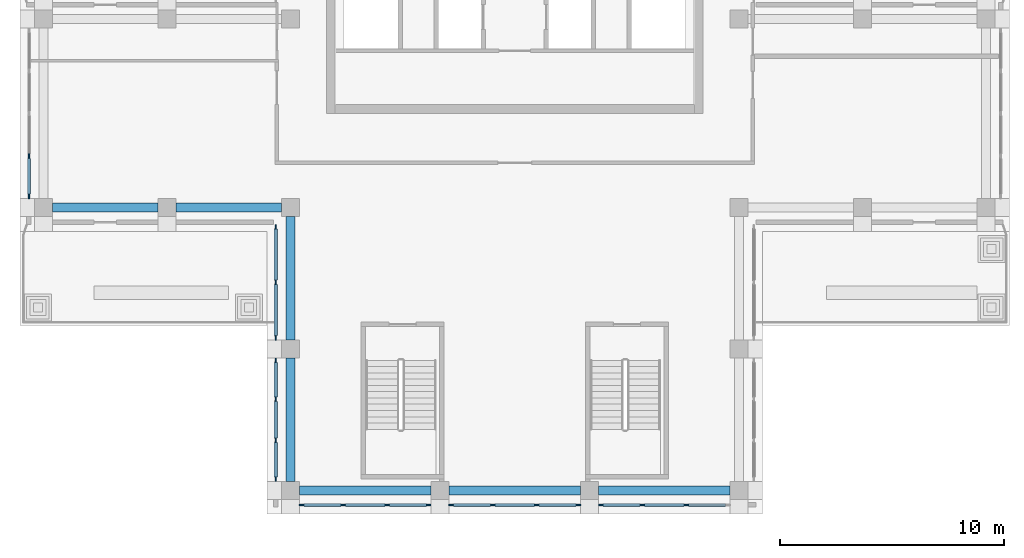
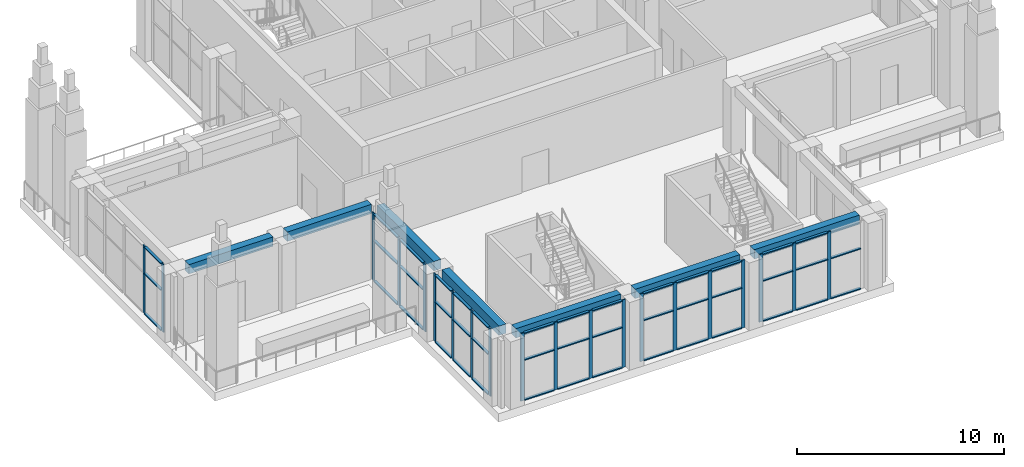
# One storey, part 2 of 14: 64 members, 7 beams, 6 elements without a shape of their own.
"""IFC4 building model written with IfcOpenShell, lengths in metres."""

import ifcopenshell
import ifcopenshell.guid

model = None  # the IFC model being written
_history = None  # IfcOwnerHistory: only IFC2X3 demands one
_inside = {}  # id of a spatial element -> (the spatial element, [elements in it])
_under = {}  # id of a project, library or spatial element -> (it, [spatial elements below it])
_declared = {}  # id of a project -> (the project, [libraries it declares])
_typed = {}  # id of a type object -> (the type object, [elements of that type])
_made_of = {}  # id of a material, layer set ... -> (it, [elements and type objects made of it])


def new_model(schema):
    """Start an empty IFC model of exactly this schema.

    Asked for "IFC4X3", IfcOpenShell would pick the latest addendum, in which some entities
    have other attributes; the version numbers below select the first issue.
    IFC2X3 requires an IfcOwnerHistory on every rooted entity: one is made here for all.
    """
    global model, _history
    if schema == "IFC4X3":
        model = ifcopenshell.file(schema_version=(4, 3, 0, 0))
    else:
        model = ifcopenshell.file(schema=schema)
    _inside.clear()
    _under.clear()
    _declared.clear()
    _typed.clear()
    _made_of.clear()
    _history = None
    if model.schema == "IFC2X3":
        org = make("IfcOrganization", Name="unknown")
        user = make(
            "IfcPersonAndOrganization",
            ThePerson=make("IfcPerson", FamilyName="unknown"),
            TheOrganization=org,
        )
        app = make(
            "IfcApplication",
            ApplicationDeveloper=org,
            Version="unknown",
            ApplicationFullName="unknown",
            ApplicationIdentifier="unknown",
        )
        _history = make(
            "IfcOwnerHistory",
            OwningUser=user,
            OwningApplication=app,
            ChangeAction="ADDED",
            CreationDate=0,
        )
    return model


def make(cls, **values):
    """One entity of the class cls with the attributes given. An attribute that is None is left unset."""
    return model.create_entity(
        cls, **{name: value for name, value in values.items() if value is not None}
    )


def rooted(cls, **values):
    """An entity with a GlobalId (a new one), such as an element, a storey or a relation."""
    return make(cls, GlobalId=ifcopenshell.guid.new(), OwnerHistory=_history, **values)


def si_unit(unit_type, name, prefix=None):
    """IfcSIUnit, for example si_unit("LENGTHUNIT", "METRE", prefix="MILLI")."""
    return make("IfcSIUnit", UnitType=unit_type, Prefix=prefix, Name=name)


def assignment(units):
    """IfcUnitAssignment: the units of a project."""
    return None if units is None else make("IfcUnitAssignment", Units=units)


def point(xyz):
    """IfcCartesianPoint."""
    return None if xyz is None else make("IfcCartesianPoint", Coordinates=xyz)


def direction(xyz):
    """IfcDirection."""
    return None if xyz is None else make("IfcDirection", DirectionRatios=xyz)


def frame(location, z_axis=None, x_axis=None):
    """IfcAxis2Placement3D, a coordinate frame: its origin and axes. An axis left out is left unset."""
    return make(
        "IfcAxis2Placement3D",
        Location=point(location),
        Axis=direction(z_axis),
        RefDirection=direction(x_axis),
    )


def frame_2d(location, x_axis=None):
    """IfcAxis2Placement2D, a coordinate frame in the plane: its origin and x axis."""
    return make(
        "IfcAxis2Placement2D", Location=point(location), RefDirection=direction(x_axis)
    )


def origin():
    """The frame at (0, 0, 0) with its axes left unset."""
    return frame((0.0, 0.0, 0.0))


def origin_2d():
    """The frame at (0, 0) in the plane with its x axis left unset."""
    return frame_2d((0.0, 0.0))


def place(relative_to, where):
    """IfcLocalPlacement: puts the frame where relative to a parent placement (None: the world)."""
    return make(
        "IfcLocalPlacement", PlacementRelTo=relative_to, RelativePlacement=where
    )


def context(
    kind, dimensions, precision=None, world=None, true_north=None, identifier=None
):
    """IfcGeometricRepresentationContext, for example the 3D "Model" context."""
    return make(
        "IfcGeometricRepresentationContext",
        ContextIdentifier=identifier,
        ContextType=kind,
        CoordinateSpaceDimension=dimensions,
        Precision=precision,
        WorldCoordinateSystem=world,
        TrueNorth=true_north,
    )


def subcontext(parent, identifier, kind, view, scale=None):
    """IfcGeometricRepresentationSubContext, for example "Body" below "Model"."""
    return make(
        "IfcGeometricRepresentationSubContext",
        ContextIdentifier=identifier,
        ContextType=kind,
        ParentContext=parent,
        TargetScale=scale,
        TargetView=view,
    )


def project(units=None, contexts=None):
    """IfcProject with its units and contexts."""
    return rooted(
        "IfcProject",
        Name="project",
        RepresentationContexts=contexts,
        UnitsInContext=assignment(units),
    )


def spatial(cls, under=None, at=None, **own):
    """A site, building, storey or space (cls), placed at a placement, below another one or the project."""
    s = rooted(cls, ObjectPlacement=at, **own)
    if under is not None:
        _under.setdefault(under.id(), (under, []))[1].append(s)
    return s


def profile(cls, at=None, kind="AREA", **sizes):
    """A parametric profile (cls). Its sizes go by their IFC names, for example OverallWidth=200.0."""
    return make(cls, ProfileType=kind, Position=at, **sizes)


def rectangle(**sizes):
    """IfcRectangleProfileDef."""
    return profile("IfcRectangleProfileDef", **sizes)


def extrude(swept, where, along, depth):
    """IfcExtrudedAreaSolid: the profile swept, set in the frame where, extruded along a direction by depth."""
    return make(
        "IfcExtrudedAreaSolid",
        SweptArea=swept,
        Position=where,
        ExtrudedDirection=direction(along),
        Depth=depth,
    )


def shape(context_of_items, identifier, shape_type, items):
    """IfcShapeRepresentation: the items that make up one representation, for example the "Body"."""
    return make(
        "IfcShapeRepresentation",
        ContextOfItems=context_of_items,
        RepresentationIdentifier=identifier,
        RepresentationType=shape_type,
        Items=items,
    )


def material(Name=None, Category=None):
    """IfcMaterial."""
    return make("IfcMaterial", Name=Name, Category=Category)


def material_profile(
    of_material, cross_section, Name=None, Category=None, Priority=None
):
    """IfcMaterialProfile: a cross section and its material."""
    return make(
        "IfcMaterialProfile",
        Name=Name,
        Material=of_material,
        Profile=cross_section,
        Priority=Priority,
        Category=Category,
    )


def profile_set(profiles, Name=None, composite=None):
    """IfcMaterialProfileSet."""
    return make(
        "IfcMaterialProfileSet",
        Name=Name,
        MaterialProfiles=profiles,
        CompositeProfile=composite,
    )


def made_of(thing, what):
    """Note that an element or type object is made of a material, layer set ...; save() writes the relation."""
    if what is not None:
        _made_of.setdefault(what.id(), (what, []))[1].append(thing)
    return thing


def type_object(cls, material=None, **own):
    """A type object (cls), such as IfcWallType, which elements share."""
    return made_of(rooted(cls, **own), material)


def element(
    cls,
    number,
    at=None,
    inside=None,
    cuts=None,
    type_object=None,
    material=None,
    context=None,
    identifier="Body",
    shape_type=None,
    held_by="IfcProductDefinitionShape",
    body=None,
    shapes=None,
    **own,
):
    """One element of the class cls, such as IfcWall. Its Tag is "e" and its number.

    at: its placement. inside: the storey or other place that contains it. cuts: it is an
    opening in that element (IfcRelVoidsElement). A single representation is given by context,
    identifier, shape_type and body (its items); several are given by shapes. held_by: the class
    of the entity that holds the representations. save() writes the other relations.
    """
    e = rooted(cls, Tag="e%d" % number, ObjectPlacement=at, **own)
    if body is not None:
        shapes = [shape(context, identifier, shape_type, body)]
    if shapes is not None:
        e.Representation = make(held_by, Representations=shapes)
    if inside is not None:
        _inside.setdefault(inside.id(), (inside, []))[1].append(e)
    if cuts is not None:
        rooted(
            "IfcRelVoidsElement", RelatingBuildingElement=cuts, RelatedOpeningElement=e
        )
    if type_object is not None:
        _typed.setdefault(type_object.id(), (type_object, []))[1].append(e)
    return made_of(e, material)


def aggregate(whole, parts):
    """IfcRelAggregates: a whole, such as a stair, and the parts it consists of."""
    return rooted("IfcRelAggregates", RelatingObject=whole, RelatedObjects=parts)


def save(model, path):
    """Write the relations noted so far, then the file.

    IfcRelAggregates (storeys below a building ...), IfcRelContainedInSpatialStructure (elements
    in a storey), IfcRelDefinesByType, IfcRelAssociatesMaterial and IfcRelDeclares: one each for
    every whole, place, type object, material and project.
    """
    for whole, parts in _under.values():
        aggregate(whole, parts)
    for where, things in _inside.values():
        rooted(
            "IfcRelContainedInSpatialStructure",
            RelatedElements=things,
            RelatingStructure=where,
        )
    for kind, things in _typed.values():
        rooted("IfcRelDefinesByType", RelatedObjects=things, RelatingType=kind)
    for what, things in _made_of.values():
        rooted("IfcRelAssociatesMaterial", RelatedObjects=things, RelatingMaterial=what)
    for by, libraries in _declared.values():
        rooted("IfcRelDeclares", RelatingContext=by, RelatedDefinitions=libraries)
    model.write(path)


model = new_model("IFC4")

# Units and contexts
model_context = context("Model", 3, precision=1e-05, world=origin(), true_north=direction((0.0, 1.0)))
body_context = subcontext(model_context, "Body", "Model", "MODEL_VIEW")
ifc_project = project(units=[si_unit("LENGTHUNIT", "METRE"), si_unit("AREAUNIT", "SQUARE_METRE"), si_unit("VOLUMEUNIT", "CUBIC_METRE"), si_unit("PLANEANGLEUNIT", "RADIAN"), si_unit("MASSUNIT", "GRAM", prefix="KILO")], contexts=[model_context])

# Site, building, storey
site_placement = place(None, origin())
site = spatial("IfcSite", under=ifc_project, at=site_placement, CompositionType="ELEMENT")
building_placement = place(site_placement, origin())
building = spatial("IfcBuilding", under=site, at=building_placement, Name="Vermilion Ogive Tower", CompositionType="ELEMENT")
storey_placement = place(building_placement, frame((0.0, 0.0, 284.85009765625)))
storey = spatial("IfcBuildingStorey", under=building, at=storey_placement, Name="L74", CompositionType="ELEMENT", Elevation=284.85009765625)

# Curtain wall, members
ifc_material_1 = material(Name="Low-iron laminated glazing in aluminium frame", Category="aluminium")
curtain_wall_type = type_object("IfcCurtainWallType", Name="Curtain wall CW3", PredefinedType="NOTDEFINED", material=ifc_material_1)
curtain_wall_1_placement = place(storey_placement, origin())
curtain_wall_1 = element("IfcCurtainWall", 1, at=curtain_wall_1_placement, inside=storey, type_object=curtain_wall_type, Name="CW3 glazing S1", PredefinedType="NOTDEFINED")
ifc_material_2 = material(Name="Aluminium mullion", Category="aluminium")
ifc_material_profile_1 = material_profile(ifc_material_2, rectangle(XDim=0.06005859375, YDim=0.199951171875, at=origin_2d()), Name="AL 60x200")
ifc_profile_set_1 = profile_set([ifc_material_profile_1], Name="Aluminium mullion")
member_type_1 = type_object("IfcMemberType", Name="CW3 mullion 60x200", PredefinedType="MULLION", material=ifc_profile_set_1)
member_1_placement = place(storey_placement, frame((-9.5, -13.25, 0.0), z_axis=(0.0, 0.0, 1.0), x_axis=(0.0, 1.0, 0.0)))
member_1 = element("IfcMember", 2, at=member_1_placement, type_object=member_type_1, Name="CW3-S1 mullion 1", PredefinedType="MULLION", context=body_context, shape_type="SweptSolid", body=[
    extrude(rectangle(XDim=0.06005859375, YDim=0.199951171875, at=origin_2d()), origin(), (0.0, 0.0, 1.0), 4.0),
])
member_2_placement = place(storey_placement, frame((-7.64453125, -13.25, 0.0), z_axis=(0.0, 0.0, 1.0), x_axis=(0.0, 1.0, 0.0)))
member_2 = element("IfcMember", 3, at=member_2_placement, type_object=member_type_1, Name="CW3-S1 mullion 2", PredefinedType="MULLION", context=body_context, shape_type="SweptSolid", body=[
    extrude(rectangle(XDim=0.06005859375, YDim=0.199951171875, at=origin_2d()), origin(), (0.0, 0.0, 1.0), 4.0),
])
member_3_placement = place(storey_placement, frame((-5.68896484375, -13.25, 0.0), z_axis=(0.0, 0.0, 1.0), x_axis=(0.0, 1.0, 0.0)))
member_3 = element("IfcMember", 4, at=member_3_placement, type_object=member_type_1, Name="CW3-S1 mullion 3", PredefinedType="MULLION", context=body_context, shape_type="SweptSolid", body=[
    extrude(rectangle(XDim=0.06005859375, YDim=0.199951171875, at=origin_2d()), origin(), (0.0, 0.0, 1.0), 4.0),
])
member_4_placement = place(storey_placement, frame((-3.833251953125, -13.25, 0.0), z_axis=(0.0, 0.0, 1.0), x_axis=(0.0, 1.0, 0.0)))
member_4 = element("IfcMember", 5, at=member_4_placement, type_object=member_type_1, Name="CW3-S1 mullion 4", PredefinedType="MULLION", context=body_context, shape_type="SweptSolid", body=[
    extrude(rectangle(XDim=0.06005859375, YDim=0.199951171875, at=origin_2d()), origin(), (0.0, 0.0, 1.0), 4.0),
])

curtain_wall_2_placement = place(storey_placement, origin())
curtain_wall_2 = element("IfcCurtainWall", 6, at=curtain_wall_2_placement, inside=storey, type_object=curtain_wall_type, Name="CW3 glazing S2", PredefinedType="NOTDEFINED")
member_5_placement = place(storey_placement, frame((-2.833251953125, -13.25, 0.0), z_axis=(0.0, 0.0, 1.0), x_axis=(0.0, 1.0, 0.0)))
member_5 = element("IfcMember", 7, at=member_5_placement, type_object=member_type_1, Name="CW3-S2 mullion 1", PredefinedType="MULLION", context=body_context, shape_type="SweptSolid", body=[
    extrude(rectangle(XDim=0.06005859375, YDim=0.199951171875, at=origin_2d()), origin(), (0.0, 0.0, 1.0), 4.0),
])
member_6_placement = place(storey_placement, frame((-0.977783203125, -13.25, 0.0), z_axis=(0.0, 0.0, 1.0), x_axis=(0.0, 1.0, 0.0)))
member_6 = element("IfcMember", 8, at=member_6_placement, type_object=member_type_1, Name="CW3-S2 mullion 2", PredefinedType="MULLION", context=body_context, shape_type="SweptSolid", body=[
    extrude(rectangle(XDim=0.06005859375, YDim=0.199951171875, at=origin_2d()), origin(), (0.0, 0.0, 1.0), 4.0),
])
member_7_placement = place(storey_placement, frame((0.977783203125, -13.25, 0.0), z_axis=(0.0, 0.0, 1.0), x_axis=(0.0, 1.0, 0.0)))
member_7 = element("IfcMember", 9, at=member_7_placement, type_object=member_type_1, Name="CW3-S2 mullion 3", PredefinedType="MULLION", context=body_context, shape_type="SweptSolid", body=[
    extrude(rectangle(XDim=0.06005859375, YDim=0.199951171875, at=origin_2d()), origin(), (0.0, 0.0, 1.0), 4.0),
])
member_8_placement = place(storey_placement, frame((2.833251953125, -13.25, 0.0), z_axis=(0.0, 0.0, 1.0), x_axis=(0.0, 1.0, 0.0)))
member_8 = element("IfcMember", 10, at=member_8_placement, type_object=member_type_1, Name="CW3-S2 mullion 4", PredefinedType="MULLION", context=body_context, shape_type="SweptSolid", body=[
    extrude(rectangle(XDim=0.06005859375, YDim=0.199951171875, at=origin_2d()), origin(), (0.0, 0.0, 1.0), 4.0),
])

curtain_wall_3_placement = place(storey_placement, origin())
curtain_wall_3 = element("IfcCurtainWall", 11, at=curtain_wall_3_placement, inside=storey, type_object=curtain_wall_type, Name="CW3 glazing S3", PredefinedType="NOTDEFINED")
member_9_placement = place(storey_placement, frame((3.833251953125, -13.25, 0.0), z_axis=(0.0, 0.0, 1.0), x_axis=(0.0, 1.0, 0.0)))
member_9 = element("IfcMember", 12, at=member_9_placement, type_object=member_type_1, Name="CW3-S3 mullion 1", PredefinedType="MULLION", context=body_context, shape_type="SweptSolid", body=[
    extrude(rectangle(XDim=0.06005859375, YDim=0.199951171875, at=origin_2d()), origin(), (0.0, 0.0, 1.0), 4.0),
])
member_10_placement = place(storey_placement, frame((5.68896484375, -13.25, 0.0), z_axis=(0.0, 0.0, 1.0), x_axis=(0.0, 1.0, 0.0)))
member_10 = element("IfcMember", 13, at=member_10_placement, type_object=member_type_1, Name="CW3-S3 mullion 2", PredefinedType="MULLION", context=body_context, shape_type="SweptSolid", body=[
    extrude(rectangle(XDim=0.06005859375, YDim=0.199951171875, at=origin_2d()), origin(), (0.0, 0.0, 1.0), 4.0),
])
member_11_placement = place(storey_placement, frame((7.64453125, -13.25, 0.0), z_axis=(0.0, 0.0, 1.0), x_axis=(0.0, 1.0, 0.0)))
member_11 = element("IfcMember", 14, at=member_11_placement, type_object=member_type_1, Name="CW3-S3 mullion 3", PredefinedType="MULLION", context=body_context, shape_type="SweptSolid", body=[
    extrude(rectangle(XDim=0.06005859375, YDim=0.199951171875, at=origin_2d()), origin(), (0.0, 0.0, 1.0), 4.0),
])

curtain_wall_4_placement = place(storey_placement, origin())
curtain_wall_4 = element("IfcCurtainWall", 15, at=curtain_wall_4_placement, inside=storey, type_object=curtain_wall_type, Name="CW3 glazing W1", PredefinedType="NOTDEFINED")
member_12_placement = place(storey_placement, frame((-21.64990234375, 2.300048828125, 0.0), z_axis=(0.0, 0.0, 1.0), x_axis=(1.0, 0.0, 0.0)))
member_12 = element("IfcMember", 16, at=member_12_placement, type_object=member_type_1, Name="CW3-W1 mullion 4", PredefinedType="MULLION", context=body_context, shape_type="SweptSolid", body=[
    extrude(rectangle(XDim=0.06005859375, YDim=0.199951171875, at=origin_2d()), origin(), (0.0, 0.0, 1.0), 4.0),
])
member_13_placement = place(storey_placement, frame((-21.64990234375, 0.5, 0.0), z_axis=(0.0, 0.0, 1.0), x_axis=(1.0, 0.0, 0.0)))
member_13 = element("IfcMember", 17, at=member_13_placement, type_object=member_type_1, Name="CW3-W1 mullion 5", PredefinedType="MULLION", context=body_context, shape_type="SweptSolid", body=[
    extrude(rectangle(XDim=0.06005859375, YDim=0.199951171875, at=origin_2d()), origin(), (0.0, 0.0, 1.0), 4.0),
])

curtain_wall_5_placement = place(storey_placement, origin())
curtain_wall_5 = element("IfcCurtainWall", 18, at=curtain_wall_5_placement, inside=storey, type_object=curtain_wall_type, Name="CW3 glazing X81", PredefinedType="NOTDEFINED")
member_14_placement = place(storey_placement, frame((-10.64990234375, -0.85009765625, 0.0), z_axis=(0.0, 0.0, 1.0), x_axis=(1.0, 0.0, 0.0)))
member_14 = element("IfcMember", 19, at=member_14_placement, type_object=member_type_1, Name="CW3-X81 mullion 1", PredefinedType="MULLION", context=body_context, shape_type="SweptSolid", body=[
    extrude(rectangle(XDim=0.06005859375, YDim=0.199951171875, at=origin_2d()), origin(), (0.0, 0.0, 1.0), 4.0),
])
member_15_placement = place(storey_placement, frame((-10.64990234375, -3.324951171875, 0.0), z_axis=(0.0, 0.0, 1.0), x_axis=(1.0, 0.0, 0.0)))
member_15 = element("IfcMember", 20, at=member_15_placement, type_object=member_type_1, Name="CW3-X81 mullion 2", PredefinedType="MULLION", context=body_context, shape_type="SweptSolid", body=[
    extrude(rectangle(XDim=0.06005859375, YDim=0.199951171875, at=origin_2d()), origin(), (0.0, 0.0, 1.0), 4.0),
])
member_16_placement = place(storey_placement, frame((-10.64990234375, -5.800048828125, 0.0), z_axis=(0.0, 0.0, 1.0), x_axis=(1.0, 0.0, 0.0)))
member_16 = element("IfcMember", 21, at=member_16_placement, type_object=member_type_1, Name="CW3-X81 mullion 3", PredefinedType="MULLION", context=body_context, shape_type="SweptSolid", body=[
    extrude(rectangle(XDim=0.06005859375, YDim=0.199951171875, at=origin_2d()), origin(), (0.0, 0.0, 1.0), 4.0),
])

curtain_wall_6_placement = place(storey_placement, origin())
curtain_wall_6 = element("IfcCurtainWall", 22, at=curtain_wall_6_placement, inside=storey, type_object=curtain_wall_type, Name="CW3 glazing X82", PredefinedType="NOTDEFINED")
member_17_placement = place(storey_placement, frame((-10.64990234375, -6.800048828125, 0.0), z_axis=(0.0, 0.0, 1.0), x_axis=(1.0, 0.0, 0.0)))
member_17 = element("IfcMember", 23, at=member_17_placement, type_object=member_type_1, Name="CW3-X82 mullion 1", PredefinedType="MULLION", context=body_context, shape_type="SweptSolid", body=[
    extrude(rectangle(XDim=0.06005859375, YDim=0.199951171875, at=origin_2d()), origin(), (0.0, 0.0, 1.0), 4.0),
])
member_18_placement = place(storey_placement, frame((-10.64990234375, -8.533447265625, 0.0), z_axis=(0.0, 0.0, 1.0), x_axis=(1.0, 0.0, 0.0)))
member_18 = element("IfcMember", 24, at=member_18_placement, type_object=member_type_1, Name="CW3-X82 mullion 2", PredefinedType="MULLION", context=body_context, shape_type="SweptSolid", body=[
    extrude(rectangle(XDim=0.06005859375, YDim=0.199951171875, at=origin_2d()), origin(), (0.0, 0.0, 1.0), 4.0),
])
member_19_placement = place(storey_placement, frame((-10.64990234375, -10.36669921875, 0.0), z_axis=(0.0, 0.0, 1.0), x_axis=(1.0, 0.0, 0.0)))
member_19 = element("IfcMember", 25, at=member_19_placement, type_object=member_type_1, Name="CW3-X82 mullion 3", PredefinedType="MULLION", context=body_context, shape_type="SweptSolid", body=[
    extrude(rectangle(XDim=0.06005859375, YDim=0.199951171875, at=origin_2d()), origin(), (0.0, 0.0, 1.0), 4.0),
])
member_20_placement = place(storey_placement, frame((-10.64990234375, -12.10009765625, 0.0), z_axis=(0.0, 0.0, 1.0), x_axis=(1.0, 0.0, 0.0)))
member_20 = element("IfcMember", 26, at=member_20_placement, type_object=member_type_1, Name="CW3-X82 mullion 4", PredefinedType="MULLION", context=body_context, shape_type="SweptSolid", body=[
    extrude(rectangle(XDim=0.06005859375, YDim=0.199951171875, at=origin_2d()), origin(), (0.0, 0.0, 1.0), 4.0),
])

# Member
ifc_material_3 = material(Name="Aluminium transom", Category="aluminium")
ifc_material_profile_2 = material_profile(ifc_material_3, rectangle(XDim=0.14990234375, YDim=0.06005859375, at=origin_2d()), Name="AL 60x150")
ifc_profile_set_2 = profile_set([ifc_material_profile_2], Name="Aluminium transom")
member_type_2 = type_object("IfcMemberType", Name="CW3 transom 60x150", PredefinedType="USERDEFINED", material=ifc_profile_set_2)
member_21_placement = place(storey_placement, frame((-9.39990234375, -13.25, 0.02978515625), z_axis=(1.0, 0.0, 0.0), x_axis=(0.0, 1.0, 0.0)))
member_21 = element("IfcMember", 27, at=member_21_placement, type_object=member_type_2, Name="CW3-S1 transom 1.1", ObjectType="TRANSOM", PredefinedType="USERDEFINED", context=body_context, shape_type="SweptSolid", body=[
    extrude(rectangle(XDim=0.14990234375, YDim=0.06005859375, at=origin_2d()), origin(), (0.0, 0.0, 1.0), 1.655517578125),
])

member_22_placement = place(storey_placement, frame((-9.39990234375, -13.25, 2.39990234375), z_axis=(1.0, 0.0, 0.0), x_axis=(0.0, 1.0, 0.0)))
member_22 = element("IfcMember", 28, at=member_22_placement, type_object=member_type_2, Name="CW3-S1 transom 1.2", ObjectType="TRANSOM", PredefinedType="USERDEFINED", context=body_context, shape_type="SweptSolid", body=[
    extrude(rectangle(XDim=0.14990234375, YDim=0.06005859375, at=origin_2d()), origin(), (0.0, 0.0, 1.0), 1.655517578125),
])

member_23_placement = place(storey_placement, frame((-9.39990234375, -13.25, 3.969970703125), z_axis=(1.0, 0.0, 0.0), x_axis=(0.0, 1.0, 0.0)))
member_23 = element("IfcMember", 29, at=member_23_placement, type_object=member_type_2, Name="CW3-S1 transom 1.3", ObjectType="TRANSOM", PredefinedType="USERDEFINED", context=body_context, shape_type="SweptSolid", body=[
    extrude(rectangle(XDim=0.14990234375, YDim=0.06005859375, at=origin_2d()), origin(), (0.0, 0.0, 1.0), 1.655517578125),
])

member_24_placement = place(storey_placement, frame((-7.54443359375, -13.25, 0.02978515625), z_axis=(1.0, 0.0, 0.0), x_axis=(0.0, 1.0, 0.0)))
member_24 = element("IfcMember", 30, at=member_24_placement, type_object=member_type_2, Name="CW3-S1 transom 2.1", ObjectType="TRANSOM", PredefinedType="USERDEFINED", context=body_context, shape_type="SweptSolid", body=[
    extrude(rectangle(XDim=0.14990234375, YDim=0.06005859375, at=origin_2d()), origin(), (0.0, 0.0, 1.0), 1.755615234375),
])

member_25_placement = place(storey_placement, frame((-7.54443359375, -13.25, 2.39990234375), z_axis=(1.0, 0.0, 0.0), x_axis=(0.0, 1.0, 0.0)))
member_25 = element("IfcMember", 31, at=member_25_placement, type_object=member_type_2, Name="CW3-S1 transom 2.2", ObjectType="TRANSOM", PredefinedType="USERDEFINED", context=body_context, shape_type="SweptSolid", body=[
    extrude(rectangle(XDim=0.14990234375, YDim=0.06005859375, at=origin_2d()), origin(), (0.0, 0.0, 1.0), 1.755615234375),
])

member_26_placement = place(storey_placement, frame((-7.54443359375, -13.25, 3.969970703125), z_axis=(1.0, 0.0, 0.0), x_axis=(0.0, 1.0, 0.0)))
member_26 = element("IfcMember", 32, at=member_26_placement, type_object=member_type_2, Name="CW3-S1 transom 2.3", ObjectType="TRANSOM", PredefinedType="USERDEFINED", context=body_context, shape_type="SweptSolid", body=[
    extrude(rectangle(XDim=0.14990234375, YDim=0.06005859375, at=origin_2d()), origin(), (0.0, 0.0, 1.0), 1.755615234375),
])

member_27_placement = place(storey_placement, frame((-5.5888671875, -13.25, 0.02978515625), z_axis=(1.0, 0.0, 0.0), x_axis=(0.0, 1.0, 0.0)))
member_27 = element("IfcMember", 33, at=member_27_placement, type_object=member_type_2, Name="CW3-S1 transom 3.1", ObjectType="TRANSOM", PredefinedType="USERDEFINED", context=body_context, shape_type="SweptSolid", body=[
    extrude(rectangle(XDim=0.14990234375, YDim=0.06005859375, at=origin_2d()), origin(), (0.0, 0.0, 1.0), 1.655517578125),
])

member_28_placement = place(storey_placement, frame((-5.5888671875, -13.25, 2.39990234375), z_axis=(1.0, 0.0, 0.0), x_axis=(0.0, 1.0, 0.0)))
member_28 = element("IfcMember", 34, at=member_28_placement, type_object=member_type_2, Name="CW3-S1 transom 3.2", ObjectType="TRANSOM", PredefinedType="USERDEFINED", context=body_context, shape_type="SweptSolid", body=[
    extrude(rectangle(XDim=0.14990234375, YDim=0.06005859375, at=origin_2d()), origin(), (0.0, 0.0, 1.0), 1.655517578125),
])

member_29_placement = place(storey_placement, frame((-5.5888671875, -13.25, 3.969970703125), z_axis=(1.0, 0.0, 0.0), x_axis=(0.0, 1.0, 0.0)))
member_29 = element("IfcMember", 35, at=member_29_placement, type_object=member_type_2, Name="CW3-S1 transom 3.3", ObjectType="TRANSOM", PredefinedType="USERDEFINED", context=body_context, shape_type="SweptSolid", body=[
    extrude(rectangle(XDim=0.14990234375, YDim=0.06005859375, at=origin_2d()), origin(), (0.0, 0.0, 1.0), 1.655517578125),
])

aggregate(curtain_wall_1, [member_1, member_2, member_3, member_4, member_21, member_22, member_23, member_24, member_25, member_26, member_27, member_28, member_29])

member_30_placement = place(storey_placement, frame((-2.7333984375, -13.25, 0.02978515625), z_axis=(1.0, 0.0, 0.0), x_axis=(0.0, 1.0, 0.0)))
member_30 = element("IfcMember", 36, at=member_30_placement, type_object=member_type_2, Name="CW3-S2 transom 1.1", ObjectType="TRANSOM", PredefinedType="USERDEFINED", context=body_context, shape_type="SweptSolid", body=[
    extrude(rectangle(XDim=0.14990234375, YDim=0.06005859375, at=origin_2d()), origin(), (0.0, 0.0, 1.0), 1.655517578125),
])

member_31_placement = place(storey_placement, frame((-2.7333984375, -13.25, 2.39990234375), z_axis=(1.0, 0.0, 0.0), x_axis=(0.0, 1.0, 0.0)))
member_31 = element("IfcMember", 37, at=member_31_placement, type_object=member_type_2, Name="CW3-S2 transom 1.2", ObjectType="TRANSOM", PredefinedType="USERDEFINED", context=body_context, shape_type="SweptSolid", body=[
    extrude(rectangle(XDim=0.14990234375, YDim=0.06005859375, at=origin_2d()), origin(), (0.0, 0.0, 1.0), 1.655517578125),
])

member_32_placement = place(storey_placement, frame((-2.7333984375, -13.25, 3.969970703125), z_axis=(1.0, 0.0, 0.0), x_axis=(0.0, 1.0, 0.0)))
member_32 = element("IfcMember", 38, at=member_32_placement, type_object=member_type_2, Name="CW3-S2 transom 1.3", ObjectType="TRANSOM", PredefinedType="USERDEFINED", context=body_context, shape_type="SweptSolid", body=[
    extrude(rectangle(XDim=0.14990234375, YDim=0.06005859375, at=origin_2d()), origin(), (0.0, 0.0, 1.0), 1.655517578125),
])

member_33_placement = place(storey_placement, frame((-0.877685546875, -13.25, 0.02978515625), z_axis=(1.0, 0.0, 0.0), x_axis=(0.0, 1.0, 0.0)))
member_33 = element("IfcMember", 39, at=member_33_placement, type_object=member_type_2, Name="CW3-S2 transom 2.1", ObjectType="TRANSOM", PredefinedType="USERDEFINED", context=body_context, shape_type="SweptSolid", body=[
    extrude(rectangle(XDim=0.14990234375, YDim=0.06005859375, at=origin_2d()), origin(), (0.0, 0.0, 1.0), 1.75537109375),
])

member_34_placement = place(storey_placement, frame((-0.877685546875, -13.25, 2.39990234375), z_axis=(1.0, 0.0, 0.0), x_axis=(0.0, 1.0, 0.0)))
member_34 = element("IfcMember", 40, at=member_34_placement, type_object=member_type_2, Name="CW3-S2 transom 2.2", ObjectType="TRANSOM", PredefinedType="USERDEFINED", context=body_context, shape_type="SweptSolid", body=[
    extrude(rectangle(XDim=0.14990234375, YDim=0.06005859375, at=origin_2d()), origin(), (0.0, 0.0, 1.0), 1.75537109375),
])

member_35_placement = place(storey_placement, frame((-0.877685546875, -13.25, 3.969970703125), z_axis=(1.0, 0.0, 0.0), x_axis=(0.0, 1.0, 0.0)))
member_35 = element("IfcMember", 41, at=member_35_placement, type_object=member_type_2, Name="CW3-S2 transom 2.3", ObjectType="TRANSOM", PredefinedType="USERDEFINED", context=body_context, shape_type="SweptSolid", body=[
    extrude(rectangle(XDim=0.14990234375, YDim=0.06005859375, at=origin_2d()), origin(), (0.0, 0.0, 1.0), 1.75537109375),
])

member_36_placement = place(storey_placement, frame((1.077880859375, -13.25, 0.02978515625), z_axis=(1.0, 0.0, 0.0), x_axis=(0.0, 1.0, 0.0)))
member_36 = element("IfcMember", 42, at=member_36_placement, type_object=member_type_2, Name="CW3-S2 transom 3.1", ObjectType="TRANSOM", PredefinedType="USERDEFINED", context=body_context, shape_type="SweptSolid", body=[
    extrude(rectangle(XDim=0.14990234375, YDim=0.06005859375, at=origin_2d()), origin(), (0.0, 0.0, 1.0), 1.655517578125),
])

member_37_placement = place(storey_placement, frame((1.077880859375, -13.25, 2.39990234375), z_axis=(1.0, 0.0, 0.0), x_axis=(0.0, 1.0, 0.0)))
member_37 = element("IfcMember", 43, at=member_37_placement, type_object=member_type_2, Name="CW3-S2 transom 3.2", ObjectType="TRANSOM", PredefinedType="USERDEFINED", context=body_context, shape_type="SweptSolid", body=[
    extrude(rectangle(XDim=0.14990234375, YDim=0.06005859375, at=origin_2d()), origin(), (0.0, 0.0, 1.0), 1.655517578125),
])

member_38_placement = place(storey_placement, frame((1.077880859375, -13.25, 3.969970703125), z_axis=(1.0, 0.0, 0.0), x_axis=(0.0, 1.0, 0.0)))
member_38 = element("IfcMember", 44, at=member_38_placement, type_object=member_type_2, Name="CW3-S2 transom 3.3", ObjectType="TRANSOM", PredefinedType="USERDEFINED", context=body_context, shape_type="SweptSolid", body=[
    extrude(rectangle(XDim=0.14990234375, YDim=0.06005859375, at=origin_2d()), origin(), (0.0, 0.0, 1.0), 1.655517578125),
])

aggregate(curtain_wall_2, [member_5, member_6, member_7, member_8, member_30, member_31, member_32, member_33, member_34, member_35, member_36, member_37, member_38])

member_39_placement = place(storey_placement, frame((3.933349609375, -13.25, 0.02978515625), z_axis=(1.0, 0.0, 0.0), x_axis=(0.0, 1.0, 0.0)))
member_39 = element("IfcMember", 45, at=member_39_placement, type_object=member_type_2, Name="CW3-S3 transom 1.1", ObjectType="TRANSOM", PredefinedType="USERDEFINED", context=body_context, shape_type="SweptSolid", body=[
    extrude(rectangle(XDim=0.14990234375, YDim=0.06005859375, at=origin_2d()), origin(), (0.0, 0.0, 1.0), 1.655517578125),
])

member_40_placement = place(storey_placement, frame((3.933349609375, -13.25, 2.39990234375), z_axis=(1.0, 0.0, 0.0), x_axis=(0.0, 1.0, 0.0)))
member_40 = element("IfcMember", 46, at=member_40_placement, type_object=member_type_2, Name="CW3-S3 transom 1.2", ObjectType="TRANSOM", PredefinedType="USERDEFINED", context=body_context, shape_type="SweptSolid", body=[
    extrude(rectangle(XDim=0.14990234375, YDim=0.06005859375, at=origin_2d()), origin(), (0.0, 0.0, 1.0), 1.655517578125),
])

member_41_placement = place(storey_placement, frame((3.933349609375, -13.25, 3.969970703125), z_axis=(1.0, 0.0, 0.0), x_axis=(0.0, 1.0, 0.0)))
member_41 = element("IfcMember", 47, at=member_41_placement, type_object=member_type_2, Name="CW3-S3 transom 1.3", ObjectType="TRANSOM", PredefinedType="USERDEFINED", context=body_context, shape_type="SweptSolid", body=[
    extrude(rectangle(XDim=0.14990234375, YDim=0.06005859375, at=origin_2d()), origin(), (0.0, 0.0, 1.0), 1.655517578125),
])

member_42_placement = place(storey_placement, frame((5.788818359375, -13.25, 0.02978515625), z_axis=(1.0, 0.0, 0.0), x_axis=(0.0, 1.0, 0.0)))
member_42 = element("IfcMember", 48, at=member_42_placement, type_object=member_type_2, Name="CW3-S3 transom 2.1", ObjectType="TRANSOM", PredefinedType="USERDEFINED", context=body_context, shape_type="SweptSolid", body=[
    extrude(rectangle(XDim=0.14990234375, YDim=0.06005859375, at=origin_2d()), origin(), (0.0, 0.0, 1.0), 1.755615234375),
])

member_43_placement = place(storey_placement, frame((5.788818359375, -13.25, 2.39990234375), z_axis=(1.0, 0.0, 0.0), x_axis=(0.0, 1.0, 0.0)))
member_43 = element("IfcMember", 49, at=member_43_placement, type_object=member_type_2, Name="CW3-S3 transom 2.2", ObjectType="TRANSOM", PredefinedType="USERDEFINED", context=body_context, shape_type="SweptSolid", body=[
    extrude(rectangle(XDim=0.14990234375, YDim=0.06005859375, at=origin_2d()), origin(), (0.0, 0.0, 1.0), 1.755615234375),
])

member_44_placement = place(storey_placement, frame((5.788818359375, -13.25, 3.969970703125), z_axis=(1.0, 0.0, 0.0), x_axis=(0.0, 1.0, 0.0)))
member_44 = element("IfcMember", 50, at=member_44_placement, type_object=member_type_2, Name="CW3-S3 transom 2.3", ObjectType="TRANSOM", PredefinedType="USERDEFINED", context=body_context, shape_type="SweptSolid", body=[
    extrude(rectangle(XDim=0.14990234375, YDim=0.06005859375, at=origin_2d()), origin(), (0.0, 0.0, 1.0), 1.755615234375),
])

member_45_placement = place(storey_placement, frame((7.744384765625, -13.25, 0.02978515625), z_axis=(1.0, 0.0, 0.0), x_axis=(0.0, 1.0, 0.0)))
member_45 = element("IfcMember", 51, at=member_45_placement, type_object=member_type_2, Name="CW3-S3 transom 3.1", ObjectType="TRANSOM", PredefinedType="USERDEFINED", context=body_context, shape_type="SweptSolid", body=[
    extrude(rectangle(XDim=0.14990234375, YDim=0.06005859375, at=origin_2d()), origin(), (0.0, 0.0, 1.0), 1.655517578125),
])

member_46_placement = place(storey_placement, frame((7.744384765625, -13.25, 2.39990234375), z_axis=(1.0, 0.0, 0.0), x_axis=(0.0, 1.0, 0.0)))
member_46 = element("IfcMember", 52, at=member_46_placement, type_object=member_type_2, Name="CW3-S3 transom 3.2", ObjectType="TRANSOM", PredefinedType="USERDEFINED", context=body_context, shape_type="SweptSolid", body=[
    extrude(rectangle(XDim=0.14990234375, YDim=0.06005859375, at=origin_2d()), origin(), (0.0, 0.0, 1.0), 1.655517578125),
])

aggregate(curtain_wall_3, [member_9, member_10, member_11, member_39, member_40, member_41, member_42, member_43, member_44, member_45, member_46])

member_47_placement = place(storey_placement, frame((-21.64990234375, 2.199951171875, 0.02978515625), z_axis=(0.0, -1.0, 0.0), x_axis=(1.0, 0.0, 0.0)))
member_47 = element("IfcMember", 53, at=member_47_placement, type_object=member_type_2, Name="CW3-W1 transom 4.1", ObjectType="TRANSOM", PredefinedType="USERDEFINED", context=body_context, shape_type="SweptSolid", body=[
    extrude(rectangle(XDim=0.14990234375, YDim=0.06005859375, at=origin_2d()), origin(), (0.0, 0.0, 1.0), 1.599853515625),
])

member_48_placement = place(storey_placement, frame((-21.64990234375, 2.199951171875, 2.39990234375), z_axis=(0.0, -1.0, 0.0), x_axis=(1.0, 0.0, 0.0)))
member_48 = element("IfcMember", 54, at=member_48_placement, type_object=member_type_2, Name="CW3-W1 transom 4.2", ObjectType="TRANSOM", PredefinedType="USERDEFINED", context=body_context, shape_type="SweptSolid", body=[
    extrude(rectangle(XDim=0.14990234375, YDim=0.06005859375, at=origin_2d()), origin(), (0.0, 0.0, 1.0), 1.599853515625),
])

member_49_placement = place(storey_placement, frame((-21.64990234375, 2.199951171875, 3.969970703125), z_axis=(0.0, -1.0, 0.0), x_axis=(1.0, 0.0, 0.0)))
member_49 = element("IfcMember", 55, at=member_49_placement, type_object=member_type_2, Name="CW3-W1 transom 4.3", ObjectType="TRANSOM", PredefinedType="USERDEFINED", context=body_context, shape_type="SweptSolid", body=[
    extrude(rectangle(XDim=0.14990234375, YDim=0.06005859375, at=origin_2d()), origin(), (0.0, 0.0, 1.0), 1.599853515625),
])

aggregate(curtain_wall_4, [member_12, member_13, member_47, member_48, member_49])

member_50_placement = place(storey_placement, frame((-10.64990234375, -0.949951171875, 0.02978515625), z_axis=(0.0, -1.0, 0.0), x_axis=(1.0, 0.0, 0.0)))
member_50 = element("IfcMember", 56, at=member_50_placement, type_object=member_type_2, Name="CW3-X81 transom 1.1", ObjectType="TRANSOM", PredefinedType="USERDEFINED", context=body_context, shape_type="SweptSolid", body=[
    extrude(rectangle(XDim=0.14990234375, YDim=0.06005859375, at=origin_2d()), origin(), (0.0, 0.0, 1.0), 2.275146484375),
])

member_51_placement = place(storey_placement, frame((-10.64990234375, -0.949951171875, 2.39990234375), z_axis=(0.0, -1.0, 0.0), x_axis=(1.0, 0.0, 0.0)))
member_51 = element("IfcMember", 57, at=member_51_placement, type_object=member_type_2, Name="CW3-X81 transom 1.2", ObjectType="TRANSOM", PredefinedType="USERDEFINED", context=body_context, shape_type="SweptSolid", body=[
    extrude(rectangle(XDim=0.14990234375, YDim=0.06005859375, at=origin_2d()), origin(), (0.0, 0.0, 1.0), 2.275146484375),
])

member_52_placement = place(storey_placement, frame((-10.64990234375, -0.949951171875, 3.969970703125), z_axis=(0.0, -1.0, 0.0), x_axis=(1.0, 0.0, 0.0)))
member_52 = element("IfcMember", 58, at=member_52_placement, type_object=member_type_2, Name="CW3-X81 transom 1.3", ObjectType="TRANSOM", PredefinedType="USERDEFINED", context=body_context, shape_type="SweptSolid", body=[
    extrude(rectangle(XDim=0.14990234375, YDim=0.06005859375, at=origin_2d()), origin(), (0.0, 0.0, 1.0), 2.275146484375),
])

member_53_placement = place(storey_placement, frame((-10.64990234375, -3.425048828125, 0.02978515625), z_axis=(0.0, -1.0, 0.0), x_axis=(1.0, 0.0, 0.0)))
member_53 = element("IfcMember", 59, at=member_53_placement, type_object=member_type_2, Name="CW3-X81 transom 2.1", ObjectType="TRANSOM", PredefinedType="USERDEFINED", context=body_context, shape_type="SweptSolid", body=[
    extrude(rectangle(XDim=0.14990234375, YDim=0.06005859375, at=origin_2d()), origin(), (0.0, 0.0, 1.0), 2.27490234375),
])

member_54_placement = place(storey_placement, frame((-10.64990234375, -3.425048828125, 2.39990234375), z_axis=(0.0, -1.0, 0.0), x_axis=(1.0, 0.0, 0.0)))
member_54 = element("IfcMember", 60, at=member_54_placement, type_object=member_type_2, Name="CW3-X81 transom 2.2", ObjectType="TRANSOM", PredefinedType="USERDEFINED", context=body_context, shape_type="SweptSolid", body=[
    extrude(rectangle(XDim=0.14990234375, YDim=0.06005859375, at=origin_2d()), origin(), (0.0, 0.0, 1.0), 2.27490234375),
])

member_55_placement = place(storey_placement, frame((-10.64990234375, -3.425048828125, 3.969970703125), z_axis=(0.0, -1.0, 0.0), x_axis=(1.0, 0.0, 0.0)))
member_55 = element("IfcMember", 61, at=member_55_placement, type_object=member_type_2, Name="CW3-X81 transom 2.3", ObjectType="TRANSOM", PredefinedType="USERDEFINED", context=body_context, shape_type="SweptSolid", body=[
    extrude(rectangle(XDim=0.14990234375, YDim=0.06005859375, at=origin_2d()), origin(), (0.0, 0.0, 1.0), 2.27490234375),
])

aggregate(curtain_wall_5, [member_14, member_15, member_16, member_50, member_51, member_52, member_53, member_54, member_55])

member_56_placement = place(storey_placement, frame((-10.64990234375, -6.89990234375, 0.02978515625), z_axis=(0.0, -1.0, 0.0), x_axis=(1.0, 0.0, 0.0)))
member_56 = element("IfcMember", 62, at=member_56_placement, type_object=member_type_2, Name="CW3-X82 transom 1.1", ObjectType="TRANSOM", PredefinedType="USERDEFINED", context=body_context, shape_type="SweptSolid", body=[
    extrude(rectangle(XDim=0.14990234375, YDim=0.06005859375, at=origin_2d()), origin(), (0.0, 0.0, 1.0), 1.533447265625),
])

member_57_placement = place(storey_placement, frame((-10.64990234375, -6.89990234375, 2.39990234375), z_axis=(0.0, -1.0, 0.0), x_axis=(1.0, 0.0, 0.0)))
member_57 = element("IfcMember", 63, at=member_57_placement, type_object=member_type_2, Name="CW3-X82 transom 1.2", ObjectType="TRANSOM", PredefinedType="USERDEFINED", context=body_context, shape_type="SweptSolid", body=[
    extrude(rectangle(XDim=0.14990234375, YDim=0.06005859375, at=origin_2d()), origin(), (0.0, 0.0, 1.0), 1.533447265625),
])

member_58_placement = place(storey_placement, frame((-10.64990234375, -6.89990234375, 3.969970703125), z_axis=(0.0, -1.0, 0.0), x_axis=(1.0, 0.0, 0.0)))
member_58 = element("IfcMember", 64, at=member_58_placement, type_object=member_type_2, Name="CW3-X82 transom 1.3", ObjectType="TRANSOM", PredefinedType="USERDEFINED", context=body_context, shape_type="SweptSolid", body=[
    extrude(rectangle(XDim=0.14990234375, YDim=0.06005859375, at=origin_2d()), origin(), (0.0, 0.0, 1.0), 1.533447265625),
])

member_59_placement = place(storey_placement, frame((-10.64990234375, -8.63330078125, 0.02978515625), z_axis=(0.0, -1.0, 0.0), x_axis=(1.0, 0.0, 0.0)))
member_59 = element("IfcMember", 65, at=member_59_placement, type_object=member_type_2, Name="CW3-X82 transom 2.1", ObjectType="TRANSOM", PredefinedType="USERDEFINED", context=body_context, shape_type="SweptSolid", body=[
    extrude(rectangle(XDim=0.14990234375, YDim=0.06005859375, at=origin_2d()), origin(), (0.0, 0.0, 1.0), 1.63330078125),
])

member_60_placement = place(storey_placement, frame((-10.64990234375, -8.63330078125, 2.39990234375), z_axis=(0.0, -1.0, 0.0), x_axis=(1.0, 0.0, 0.0)))
member_60 = element("IfcMember", 66, at=member_60_placement, type_object=member_type_2, Name="CW3-X82 transom 2.2", ObjectType="TRANSOM", PredefinedType="USERDEFINED", context=body_context, shape_type="SweptSolid", body=[
    extrude(rectangle(XDim=0.14990234375, YDim=0.06005859375, at=origin_2d()), origin(), (0.0, 0.0, 1.0), 1.63330078125),
])

member_61_placement = place(storey_placement, frame((-10.64990234375, -8.63330078125, 3.969970703125), z_axis=(0.0, -1.0, 0.0), x_axis=(1.0, 0.0, 0.0)))
member_61 = element("IfcMember", 67, at=member_61_placement, type_object=member_type_2, Name="CW3-X82 transom 2.3", ObjectType="TRANSOM", PredefinedType="USERDEFINED", context=body_context, shape_type="SweptSolid", body=[
    extrude(rectangle(XDim=0.14990234375, YDim=0.06005859375, at=origin_2d()), origin(), (0.0, 0.0, 1.0), 1.63330078125),
])

member_62_placement = place(storey_placement, frame((-10.64990234375, -10.466552734375, 0.02978515625), z_axis=(0.0, -1.0, 0.0), x_axis=(1.0, 0.0, 0.0)))
member_62 = element("IfcMember", 68, at=member_62_placement, type_object=member_type_2, Name="CW3-X82 transom 3.1", ObjectType="TRANSOM", PredefinedType="USERDEFINED", context=body_context, shape_type="SweptSolid", body=[
    extrude(rectangle(XDim=0.14990234375, YDim=0.06005859375, at=origin_2d()), origin(), (0.0, 0.0, 1.0), 1.533447265625),
])

member_63_placement = place(storey_placement, frame((-10.64990234375, -10.466552734375, 2.39990234375), z_axis=(0.0, -1.0, 0.0), x_axis=(1.0, 0.0, 0.0)))
member_63 = element("IfcMember", 69, at=member_63_placement, type_object=member_type_2, Name="CW3-X82 transom 3.2", ObjectType="TRANSOM", PredefinedType="USERDEFINED", context=body_context, shape_type="SweptSolid", body=[
    extrude(rectangle(XDim=0.14990234375, YDim=0.06005859375, at=origin_2d()), origin(), (0.0, 0.0, 1.0), 1.533447265625),
])

member_64_placement = place(storey_placement, frame((-10.64990234375, -10.466552734375, 3.969970703125), z_axis=(0.0, -1.0, 0.0), x_axis=(1.0, 0.0, 0.0)))
member_64 = element("IfcMember", 70, at=member_64_placement, type_object=member_type_2, Name="CW3-X82 transom 3.3", ObjectType="TRANSOM", PredefinedType="USERDEFINED", context=body_context, shape_type="SweptSolid", body=[
    extrude(rectangle(XDim=0.14990234375, YDim=0.06005859375, at=origin_2d()), origin(), (0.0, 0.0, 1.0), 1.533447265625),
])

aggregate(curtain_wall_6, [member_17, member_18, member_19, member_20, member_56, member_57, member_58, member_59, member_60, member_61, member_62, member_63, member_64])

# Beams
ifc_material_4 = material(Name="Concrete B45", Category="concrete")
ifc_material_profile_3 = material_profile(ifc_material_4, rectangle(XDim=0.39990234375, YDim=0.550048828125, at=origin_2d()), Name="400 x 550")
ifc_profile_set_3 = profile_set([ifc_material_profile_3], Name="Concrete B45")
beam_type = type_object("IfcBeamType", Name="Edge beam 400 x 550 B45", PredefinedType="BEAM", material=ifc_profile_set_3)
for number, where, z_axis, x_axis, name in (
    (71, (-9.60009765625, -12.60009765625, 3.724853515625), (1.0, 0.0, 0.0), (0.0, 1.0, 0.0), "L74-EB-1"),
    (72, (-2.933349609375, -12.60009765625, 3.724853515625), (1.0, 0.0, 0.0), (0.0, 1.0, 0.0), "L74-EB-2"),
    (73, (3.7333984375, -12.60009765625, 3.724853515625), (1.0, 0.0, 0.0), (0.0, 1.0, 0.0), "L74-EB-3"),
):
    element("IfcBeam", number, at=place(storey_placement, frame(where, z_axis=z_axis, x_axis=x_axis)), inside=storey, type_object=beam_type, Name=name, PredefinedType="BEAM", context=body_context, shape_type="SweptSolid", body=[
        extrude(rectangle(XDim=0.39990234375, YDim=0.550048828125, at=origin_2d()), origin(), (0.0, 0.0, 1.0), 5.86669921875),
    ])
for number, where, z_axis, x_axis, name in (
    (74, (-20.60009765625, 0.0, 3.724853515625), (1.0, 0.0, 0.0), (0.0, 1.0, 0.0), "L74-EB-14"),
    (75, (-15.10009765625, 0.0, 3.724853515625), (1.0, 0.0, 0.0), (0.0, 1.0, 0.0), "L74-EB-15"),
):
    element("IfcBeam", number, at=place(storey_placement, frame(where, z_axis=z_axis, x_axis=x_axis)), inside=storey, type_object=beam_type, Name=name, PredefinedType="BEAM", context=body_context, shape_type="SweptSolid", body=[
        extrude(rectangle(XDim=0.39990234375, YDim=0.550048828125, at=origin_2d()), origin(), (0.0, 0.0, 1.0), 4.7001953125),
    ])
for number, where, z_axis, x_axis, name in (
    (76, (-10.0, -0.39990234375, 3.724853515625), (0.0, -1.0, 0.0), (1.0, 0.0, 0.0), "L74-EB-16"),
    (77, (-10.0, -6.699951171875, 3.724853515625), (0.0, -1.0, 0.0), (1.0, 0.0, 0.0), "L74-EB-17"),
):
    element("IfcBeam", number, at=place(storey_placement, frame(where, z_axis=z_axis, x_axis=x_axis)), inside=storey, type_object=beam_type, Name=name, PredefinedType="BEAM", context=body_context, shape_type="SweptSolid", body=[
        extrude(rectangle(XDim=0.39990234375, YDim=0.550048828125, at=origin_2d()), origin(), (0.0, 0.0, 1.0), 5.5),
    ])

save(model, "model.ifc")
